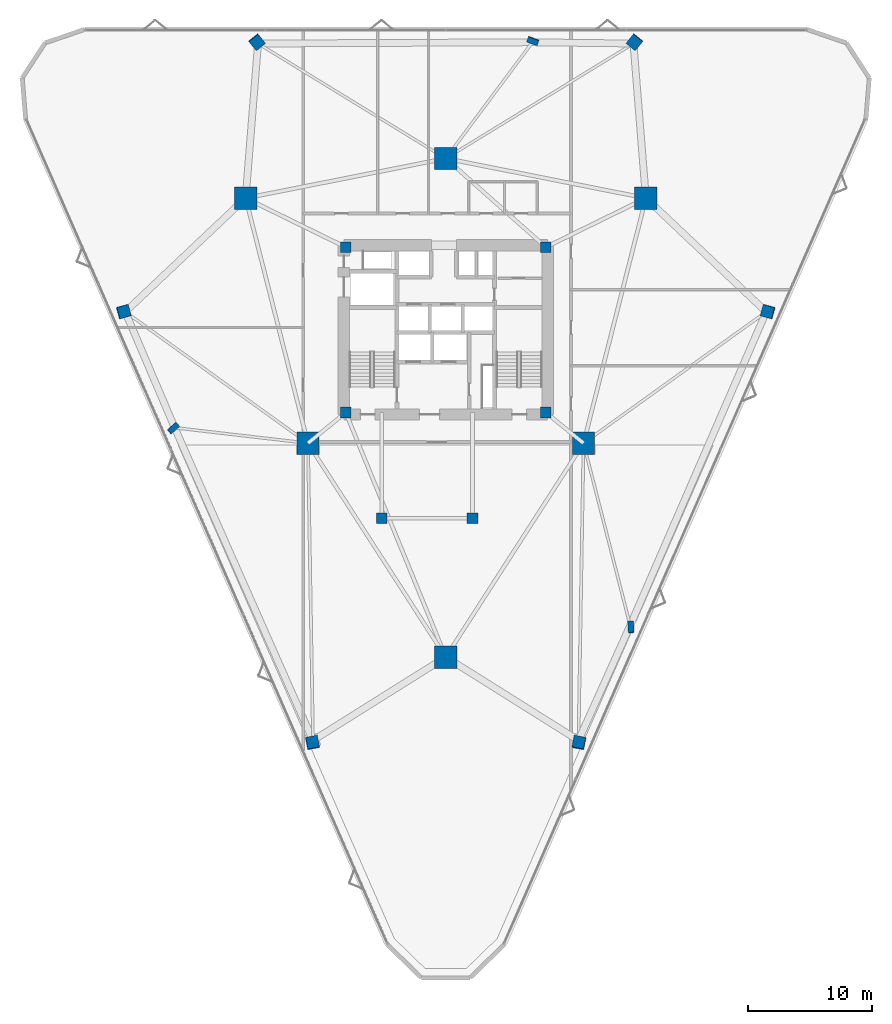
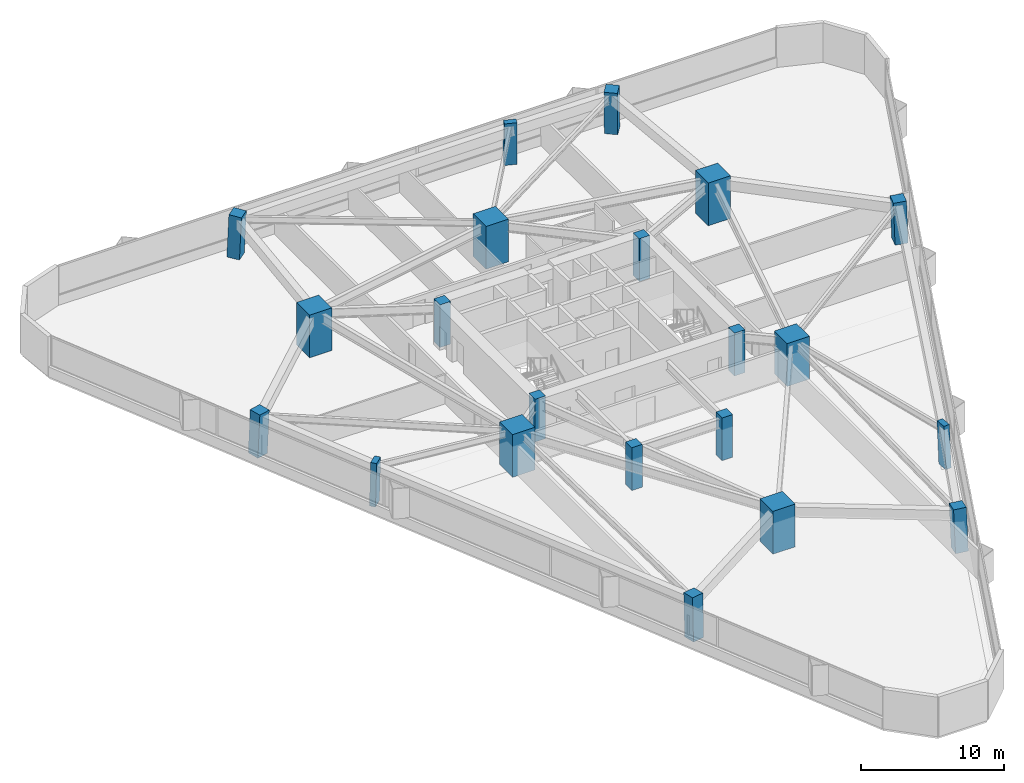
# One storey, part 1 of 21: 21 columns.
"""IFC4 building model written with IfcOpenShell, lengths in metres."""

from ifc_helpers import new_model, si_unit, direction, frame, origin, origin_2d, place, context, subcontext, project, spatial, rectangle, extrude, material, material_profile, profile_set, type_object, element, save


model = new_model("IFC4")

# Units and contexts
model_context = context("Model", 3, precision=1e-05, world=origin(), true_north=direction((0.0, 1.0)))
body_context = subcontext(model_context, "Body", "Model", "MODEL_VIEW")
ifc_project = project(units=[si_unit("LENGTHUNIT", "METRE"), si_unit("AREAUNIT", "SQUARE_METRE"), si_unit("VOLUMEUNIT", "CUBIC_METRE"), si_unit("PLANEANGLEUNIT", "RADIAN"), si_unit("MASSUNIT", "GRAM", prefix="KILO")], contexts=[model_context])

# Site, building, storey
site_placement = place(None, origin())
site = spatial("IfcSite", under=ifc_project, at=site_placement, CompositionType="ELEMENT")
building_placement = place(site_placement, origin())
building = spatial("IfcBuilding", under=site, at=building_placement, Name="Talyreon Biosciences Tower", CompositionType="ELEMENT")
storey_placement = place(building_placement, frame((0.0, 0.0, 33.75)))
storey = spatial("IfcBuildingStorey", under=building, at=storey_placement, Name="L08", CompositionType="ELEMENT", Elevation=33.75)

# Columns
ifc_material_1 = material(Name="Precast concrete C45/55", Category="concrete")
ifc_material_profile_1 = material_profile(ifc_material_1, rectangle(XDim=0.89990234375, YDim=0.449951171875, at=origin_2d()), Name="RC 900x450")
ifc_profile_set_1 = profile_set([ifc_material_profile_1], Name="Precast concrete C45/55")
column_type_1 = type_object("IfcColumnType", Name="FacadePilaster_900x450", PredefinedType="PILASTER", material=ifc_profile_set_1)
column_1_placement = place(storey_placement, frame((80.910400390625, 44.069580078125, 0.0029296875), z_axis=(-0.019612004119, 0.038286915892, 0.999074312234), x_axis=(0.06007382186, -0.997415945946, 0.039402622999)))
element("IfcColumn", 1, at=column_1_placement, inside=storey, type_object=column_type_1, Name="L08 Facade Pilaster PL-SE", PredefinedType="PILASTER", context=body_context, shape_type="SweptSolid", body=[
    extrude(rectangle(XDim=0.89990234375, YDim=0.449951171875, at=origin_2d()), origin(), (0.0, 0.0, 1.0), 3.6474609375),
])
column_2_placement = place(storey_placement, frame((73.016357421875, 91.259765625, 0.0029296875), z_axis=(-0.01238655289, -0.033544124313, 0.999360478022), x_axis=(-0.9380871136, 0.346399433166, 0.0)))
element("IfcColumn", 2, at=column_2_placement, inside=storey, type_object=column_type_1, Name="L08 Facade Pilaster PL-N", PredefinedType="PILASTER", context=body_context, shape_type="SweptSolid", body=[
    extrude(rectangle(XDim=0.89990234375, YDim=0.449951171875, at=origin_2d()), origin(), (0.0, 0.0, 1.0), 3.646484375),
])
column_3_placement = place(storey_placement, frame((44.0732421875, 60.085693359375, 0.0029296875), z_axis=(0.032073367297, 0.010512565064, 0.999430230224), x_axis=(0.744928952234, 0.666427089906, -0.030915852957)))
element("IfcColumn", 3, at=column_3_placement, inside=storey, type_object=column_type_1, Name="L08 Facade Pilaster PL-SW", PredefinedType="PILASTER", context=body_context, shape_type="SweptSolid", body=[
    extrude(rectangle(XDim=0.89990234375, YDim=0.449951171875, at=origin_2d()), origin(), (0.0, 0.0, 1.0), 3.646240234375),
])
ifc_material_2 = material(Name="Concrete C60/75", Category="concrete")
ifc_material_profile_2 = material_profile(ifc_material_2, rectangle(XDim=1.800048828125, YDim=1.800048828125, at=origin_2d()), Name="RC 1800x1800")
ifc_profile_set_2 = profile_set([ifc_material_profile_2], Name="Concrete C60/75")
column_type_2 = type_object("IfcColumnType", Name="MegaColumn_1800", PredefinedType="COLUMN", material=ifc_profile_set_2)
for number, where, z_axis, x_axis, name in (
    (4, (66.0, 41.6669921875, 0.0), (0.0, 0.0, 1.0), (1.0, 0.0, 0.0), "L08 Composite Mega-Column MC1"),
    (5, (82.102294921875, 78.5986328125, 0.0), (0.0, 0.0, 1.0), (1.0, 0.0, 0.0), "L08 Composite Mega-Column MC2"),
    (6, (49.897705078125, 78.5986328125, 0.0), (0.0, 0.0, 1.0), (1.0, 0.0, 0.0), "L08 Composite Mega-Column MC3"),
    (7, (77.086181640625, 58.88037109375, 0.0), (0.0, 0.0, 1.0), (1.0, 0.0, 0.0), "L08 Composite Mega-Column MC4"),
    (8, (66.0, 81.788818359375, 0.0), (0.0, 0.0, 1.0), (1.0, 0.0, 0.0), "L08 Composite Mega-Column MC5"),
    (9, (54.913818359375, 58.88037109375, 0.0), (0.0, 0.0, 1.0), (1.0, 0.0, 0.0), "L08 Composite Mega-Column MC6"),
):
    element("IfcColumn", number, at=place(storey_placement, frame(where, z_axis=z_axis, x_axis=x_axis)), inside=storey, type_object=column_type_2, Name=name, PredefinedType="COLUMN", context=body_context, shape_type="SweptSolid", body=[
        extrude(rectangle(XDim=1.800048828125, YDim=1.800048828125, at=origin_2d()), origin(), (0.0, 0.0, 1.0), 3.64990234375),
    ])
ifc_material_profile_3 = material_profile(ifc_material_2, rectangle(XDim=0.85009765625, YDim=0.85009765625, at=origin_2d()), Name="RC 850x850")
ifc_profile_set_3 = profile_set([ifc_material_profile_3], Name="Concrete C60/75")
column_type_3 = type_object("IfcColumnType", Name="PerimeterColumn_850", PredefinedType="COLUMN", material=ifc_profile_set_3)
for number, where, z_axis, x_axis, name in (
    (10, (57.949951171875, 61.35009765625, 0.0), (0.0, 0.0, 1.0), (1.0, 0.0, 0.0), "L08 Core Column CC1"),
    (11, (74.050048828125, 61.35009765625, 0.0), (0.0, 0.0, 1.0), (1.0, 0.0, 0.0), "L08 Core Column CC2"),
    (12, (74.050048828125, 74.64990234375, 0.0), (0.0, 0.0, 1.0), (1.0, 0.0, 0.0), "L08 Core Column CC3"),
    (13, (57.949951171875, 74.64990234375, 0.0), (0.0, 0.0, 1.0), (1.0, 0.0, 0.0), "L08 Core Column CC4"),
    (14, (60.85009765625, 52.840087890625, 0.0), (0.0, 0.0, 1.0), (1.0, 0.0, 0.0), "L08 Core Column CSW"),
    (15, (68.14990234375, 52.840087890625, 0.0), (0.0, 0.0, 1.0), (1.0, 0.0, 0.0), "L08 Core Column CSE"),
):
    element("IfcColumn", number, at=place(storey_placement, frame(where, z_axis=z_axis, x_axis=x_axis)), inside=storey, type_object=column_type_3, Name=name, PredefinedType="COLUMN", context=body_context, shape_type="SweptSolid", body=[
        extrude(rectangle(XDim=0.85009765625, YDim=0.85009765625, at=origin_2d()), origin(), (0.0, 0.0, 1.0), 3.64990234375),
    ])
ifc_material_profile_4 = material_profile(ifc_material_2, rectangle(XDim=0.949951171875, YDim=0.949951171875, at=origin_2d()), Name="RC 950x950")
ifc_profile_set_4 = profile_set([ifc_material_profile_4], Name="Concrete C60/75")
column_type_4 = type_object("IfcColumnType", Name="PerimeterColumn_950", PredefinedType="COLUMN", material=ifc_profile_set_4)
column_4_placement = place(storey_placement, frame((76.725830078125, 34.76708984375, 0.0029296875), z_axis=(-0.01230825877, 0.054450666514, 0.998440599977), x_axis=(-0.189747683458, -0.980500491917, 0.051133178793)))
element("IfcColumn", 16, at=column_4_placement, inside=storey, type_object=column_type_4, Name="L08 Tapering Perimeter Column PC-SE1", PredefinedType="COLUMN", context=body_context, shape_type="SweptSolid", body=[
    extrude(rectangle(XDim=0.949951171875, YDim=0.949951171875, at=origin_2d()), origin(), (0.0, 0.0, 1.0), 3.649658203125),
])
column_5_placement = place(storey_placement, frame((91.927978515625, 69.468505859375, 0.0029296875), z_axis=(-0.039229493406, -0.00569028488, 0.999214024874), x_axis=(0.963365599285, -0.265722392367, 0.036308846163)))
element("IfcColumn", 17, at=column_5_placement, inside=storey, type_object=column_type_4, Name="L08 Tapering Perimeter Column PC-SE2", PredefinedType="COLUMN", context=body_context, shape_type="SweptSolid", body=[
    extrude(rectangle(XDim=0.949951171875, YDim=0.949951171875, at=origin_2d()), origin(), (0.0, 0.0, 1.0), 3.64697265625),
])
for number, where, z_axis, x_axis, name in (
    (18, (81.201904296875, 91.15966796875, 0.0029296875), (-0.026841136432, -0.033467751162, 0.999079307676), (-0.780107149771, 0.625645934116, 0.0), "L08 Tapering Perimeter Column PC-N1"),
    (19, (50.798095703125, 91.15966796875, 0.0029296875), (0.026841136432, -0.033467751162, 0.999079307676), (-0.780107149771, -0.625645934116, 0.0), "L08 Tapering Perimeter Column PC-N2"),
):
    element("IfcColumn", number, at=place(storey_placement, frame(where, z_axis=z_axis, x_axis=x_axis)), inside=storey, type_object=column_type_4, Name=name, PredefinedType="COLUMN", context=body_context, shape_type="SweptSolid", body=[
        extrude(rectangle(XDim=0.949951171875, YDim=0.949951171875, at=origin_2d()), origin(), (0.0, 0.0, 1.0), 3.6474609375),
    ])
column_6_placement = place(storey_placement, frame((40.072021484375, 69.468505859375, 0.0029296875), z_axis=(0.039229493406, -0.00569028488, 0.999214024874), x_axis=(0.963365599285, 0.265722392367, -0.036308846163)))
element("IfcColumn", 20, at=column_6_placement, inside=storey, type_object=column_type_4, Name="L08 Tapering Perimeter Column PC-SW1", PredefinedType="COLUMN", context=body_context, shape_type="SweptSolid", body=[
    extrude(rectangle(XDim=0.949951171875, YDim=0.949951171875, at=origin_2d()), origin(), (0.0, 0.0, 1.0), 3.64697265625),
])
column_7_placement = place(storey_placement, frame((55.274169921875, 34.76708984375, 0.0029296875), z_axis=(0.01230825877, 0.054450666514, 0.998440599977), x_axis=(-0.189747683458, 0.980500491917, -0.051133178793)))
element("IfcColumn", 21, at=column_7_placement, inside=storey, type_object=column_type_4, Name="L08 Tapering Perimeter Column PC-SW2", PredefinedType="COLUMN", context=body_context, shape_type="SweptSolid", body=[
    extrude(rectangle(XDim=0.949951171875, YDim=0.949951171875, at=origin_2d()), origin(), (0.0, 0.0, 1.0), 3.649658203125),
])

save(model, "model.ifc")
